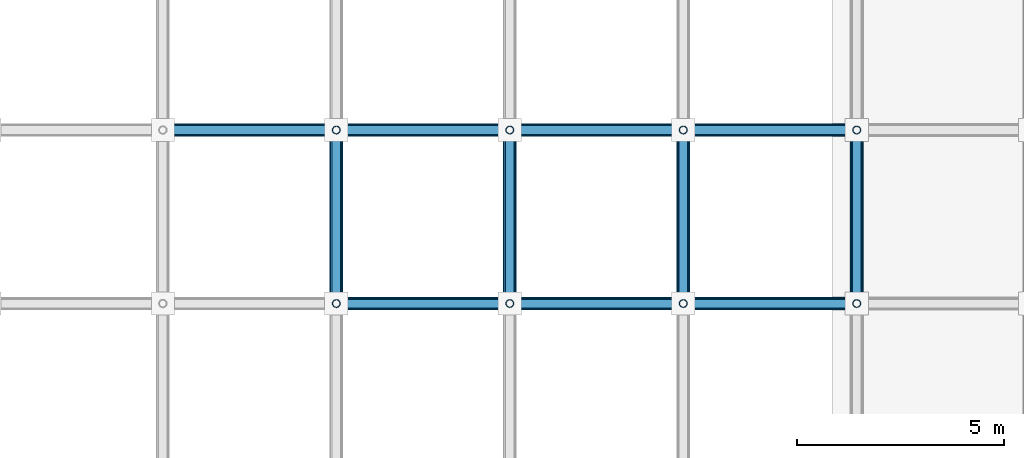
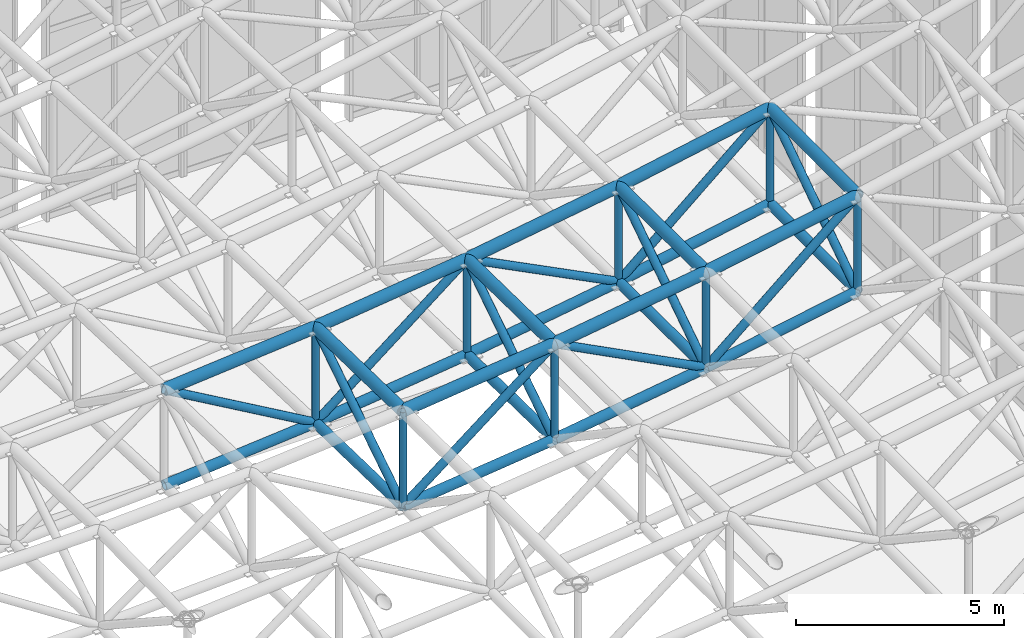
# One storey, part 33 of 93: 41 members.
"""IFC4 building model written with IfcOpenShell, lengths in metres."""

import ifcopenshell
import ifcopenshell.guid

model = None  # the IFC model being written
_history = None  # IfcOwnerHistory: only IFC2X3 demands one
_inside = {}  # id of a spatial element -> (the spatial element, [elements in it])
_under = {}  # id of a project, library or spatial element -> (it, [spatial elements below it])
_declared = {}  # id of a project -> (the project, [libraries it declares])
_typed = {}  # id of a type object -> (the type object, [elements of that type])
_made_of = {}  # id of a material, layer set ... -> (it, [elements and type objects made of it])


def new_model(schema):
    """Start an empty IFC model of exactly this schema.

    Asked for "IFC4X3", IfcOpenShell would pick the latest addendum, in which some entities
    have other attributes; the version numbers below select the first issue.
    IFC2X3 requires an IfcOwnerHistory on every rooted entity: one is made here for all.
    """
    global model, _history
    if schema == "IFC4X3":
        model = ifcopenshell.file(schema_version=(4, 3, 0, 0))
    else:
        model = ifcopenshell.file(schema=schema)
    _inside.clear()
    _under.clear()
    _declared.clear()
    _typed.clear()
    _made_of.clear()
    _history = None
    if model.schema == "IFC2X3":
        org = make("IfcOrganization", Name="unknown")
        user = make(
            "IfcPersonAndOrganization",
            ThePerson=make("IfcPerson", FamilyName="unknown"),
            TheOrganization=org,
        )
        app = make(
            "IfcApplication",
            ApplicationDeveloper=org,
            Version="unknown",
            ApplicationFullName="unknown",
            ApplicationIdentifier="unknown",
        )
        _history = make(
            "IfcOwnerHistory",
            OwningUser=user,
            OwningApplication=app,
            ChangeAction="ADDED",
            CreationDate=0,
        )
    return model


def make(cls, **values):
    """One entity of the class cls with the attributes given. An attribute that is None is left unset."""
    return model.create_entity(
        cls, **{name: value for name, value in values.items() if value is not None}
    )


def rooted(cls, **values):
    """An entity with a GlobalId (a new one), such as an element, a storey or a relation."""
    return make(cls, GlobalId=ifcopenshell.guid.new(), OwnerHistory=_history, **values)


def si_unit(unit_type, name, prefix=None):
    """IfcSIUnit, for example si_unit("LENGTHUNIT", "METRE", prefix="MILLI")."""
    return make("IfcSIUnit", UnitType=unit_type, Prefix=prefix, Name=name)


def assignment(units):
    """IfcUnitAssignment: the units of a project."""
    return None if units is None else make("IfcUnitAssignment", Units=units)


def point(xyz):
    """IfcCartesianPoint."""
    return None if xyz is None else make("IfcCartesianPoint", Coordinates=xyz)


def direction(xyz):
    """IfcDirection."""
    return None if xyz is None else make("IfcDirection", DirectionRatios=xyz)


def frame(location, z_axis=None, x_axis=None):
    """IfcAxis2Placement3D, a coordinate frame: its origin and axes. An axis left out is left unset."""
    return make(
        "IfcAxis2Placement3D",
        Location=point(location),
        Axis=direction(z_axis),
        RefDirection=direction(x_axis),
    )


def frame_2d(location, x_axis=None):
    """IfcAxis2Placement2D, a coordinate frame in the plane: its origin and x axis."""
    return make(
        "IfcAxis2Placement2D", Location=point(location), RefDirection=direction(x_axis)
    )


def origin():
    """The frame at (0, 0, 0) with its axes left unset."""
    return frame((0.0, 0.0, 0.0))


def origin_2d():
    """The frame at (0, 0) in the plane with its x axis left unset."""
    return frame_2d((0.0, 0.0))


def place(relative_to, where):
    """IfcLocalPlacement: puts the frame where relative to a parent placement (None: the world)."""
    return make(
        "IfcLocalPlacement", PlacementRelTo=relative_to, RelativePlacement=where
    )


def context(
    kind, dimensions, precision=None, world=None, true_north=None, identifier=None
):
    """IfcGeometricRepresentationContext, for example the 3D "Model" context."""
    return make(
        "IfcGeometricRepresentationContext",
        ContextIdentifier=identifier,
        ContextType=kind,
        CoordinateSpaceDimension=dimensions,
        Precision=precision,
        WorldCoordinateSystem=world,
        TrueNorth=true_north,
    )


def subcontext(parent, identifier, kind, view, scale=None):
    """IfcGeometricRepresentationSubContext, for example "Body" below "Model"."""
    return make(
        "IfcGeometricRepresentationSubContext",
        ContextIdentifier=identifier,
        ContextType=kind,
        ParentContext=parent,
        TargetScale=scale,
        TargetView=view,
    )


def project(units=None, contexts=None):
    """IfcProject with its units and contexts."""
    return rooted(
        "IfcProject",
        Name="project",
        RepresentationContexts=contexts,
        UnitsInContext=assignment(units),
    )


def spatial(cls, under=None, at=None, **own):
    """A site, building, storey or space (cls), placed at a placement, below another one or the project."""
    s = rooted(cls, ObjectPlacement=at, **own)
    if under is not None:
        _under.setdefault(under.id(), (under, []))[1].append(s)
    return s


def profile(cls, at=None, kind="AREA", **sizes):
    """A parametric profile (cls). Its sizes go by their IFC names, for example OverallWidth=200.0."""
    return make(cls, ProfileType=kind, Position=at, **sizes)


def hollow_circle(**sizes):
    """IfcCircleHollowProfileDef."""
    return profile("IfcCircleHollowProfileDef", **sizes)


def extrude(swept, where, along, depth):
    """IfcExtrudedAreaSolid: the profile swept, set in the frame where, extruded along a direction by depth."""
    return make(
        "IfcExtrudedAreaSolid",
        SweptArea=swept,
        Position=where,
        ExtrudedDirection=direction(along),
        Depth=depth,
    )


def shape(context_of_items, identifier, shape_type, items):
    """IfcShapeRepresentation: the items that make up one representation, for example the "Body"."""
    return make(
        "IfcShapeRepresentation",
        ContextOfItems=context_of_items,
        RepresentationIdentifier=identifier,
        RepresentationType=shape_type,
        Items=items,
    )


def material(Name=None, Category=None):
    """IfcMaterial."""
    return make("IfcMaterial", Name=Name, Category=Category)


def material_profile(
    of_material, cross_section, Name=None, Category=None, Priority=None
):
    """IfcMaterialProfile: a cross section and its material."""
    return make(
        "IfcMaterialProfile",
        Name=Name,
        Material=of_material,
        Profile=cross_section,
        Priority=Priority,
        Category=Category,
    )


def profile_set(profiles, Name=None, composite=None):
    """IfcMaterialProfileSet."""
    return make(
        "IfcMaterialProfileSet",
        Name=Name,
        MaterialProfiles=profiles,
        CompositeProfile=composite,
    )


def made_of(thing, what):
    """Note that an element or type object is made of a material, layer set ...; save() writes the relation."""
    if what is not None:
        _made_of.setdefault(what.id(), (what, []))[1].append(thing)
    return thing


def type_object(cls, material=None, **own):
    """A type object (cls), such as IfcWallType, which elements share."""
    return made_of(rooted(cls, **own), material)


def element(
    cls,
    number,
    at=None,
    inside=None,
    cuts=None,
    type_object=None,
    material=None,
    context=None,
    identifier="Body",
    shape_type=None,
    held_by="IfcProductDefinitionShape",
    body=None,
    shapes=None,
    **own,
):
    """One element of the class cls, such as IfcWall. Its Tag is "e" and its number.

    at: its placement. inside: the storey or other place that contains it. cuts: it is an
    opening in that element (IfcRelVoidsElement). A single representation is given by context,
    identifier, shape_type and body (its items); several are given by shapes. held_by: the class
    of the entity that holds the representations. save() writes the other relations.
    """
    e = rooted(cls, Tag="e%d" % number, ObjectPlacement=at, **own)
    if body is not None:
        shapes = [shape(context, identifier, shape_type, body)]
    if shapes is not None:
        e.Representation = make(held_by, Representations=shapes)
    if inside is not None:
        _inside.setdefault(inside.id(), (inside, []))[1].append(e)
    if cuts is not None:
        rooted(
            "IfcRelVoidsElement", RelatingBuildingElement=cuts, RelatedOpeningElement=e
        )
    if type_object is not None:
        _typed.setdefault(type_object.id(), (type_object, []))[1].append(e)
    return made_of(e, material)


def aggregate(whole, parts):
    """IfcRelAggregates: a whole, such as a stair, and the parts it consists of."""
    return rooted("IfcRelAggregates", RelatingObject=whole, RelatedObjects=parts)


def save(model, path):
    """Write the relations noted so far, then the file.

    IfcRelAggregates (storeys below a building ...), IfcRelContainedInSpatialStructure (elements
    in a storey), IfcRelDefinesByType, IfcRelAssociatesMaterial and IfcRelDeclares: one each for
    every whole, place, type object, material and project.
    """
    for whole, parts in _under.values():
        aggregate(whole, parts)
    for where, things in _inside.values():
        rooted(
            "IfcRelContainedInSpatialStructure",
            RelatedElements=things,
            RelatingStructure=where,
        )
    for kind, things in _typed.values():
        rooted("IfcRelDefinesByType", RelatedObjects=things, RelatingType=kind)
    for what, things in _made_of.values():
        rooted("IfcRelAssociatesMaterial", RelatedObjects=things, RelatingMaterial=what)
    for by, libraries in _declared.values():
        rooted("IfcRelDeclares", RelatingContext=by, RelatedDefinitions=libraries)
    model.write(path)


model = new_model("IFC4")

# Units and contexts
model_context = context("Model", 3, precision=1e-05, world=origin(), true_north=direction((0.0, 1.0)))
body_context = subcontext(model_context, "Body", "Model", "MODEL_VIEW")
ifc_project = project(units=[si_unit("LENGTHUNIT", "METRE"), si_unit("AREAUNIT", "SQUARE_METRE"), si_unit("VOLUMEUNIT", "CUBIC_METRE"), si_unit("PLANEANGLEUNIT", "RADIAN"), si_unit("MASSUNIT", "GRAM", prefix="KILO")], contexts=[model_context])

# Site, building, storey
site_placement = place(None, origin())
site = spatial("IfcSite", under=ifc_project, at=site_placement, CompositionType="ELEMENT")
building_placement = place(site_placement, origin())
building = spatial("IfcBuilding", under=site, at=building_placement, Name="Cumbredor Promenade Congress Hotel", CompositionType="ELEMENT")
storey_placement = place(building_placement, frame((0.0, 0.0, 21.840087890625)))
storey = spatial("IfcBuildingStorey", under=building, at=storey_placement, Name="L06", CompositionType="ELEMENT", Elevation=21.840087890625)

# Members
ifc_material = material(Name="Steel ASTM A500 Grade C", Category="steel")
ifc_material_profile_1 = material_profile(ifc_material, hollow_circle(Radius=0.136474609375, WallThickness=0.01611328125, at=origin_2d()), Name="CHS 273.0x16")
ifc_profile_set_1 = profile_set([ifc_material_profile_1], Name="Steel ASTM A500 Grade C")
member_type_1 = type_object("IfcMemberType", Name="Plenary Roof Space Frame Bottom Chord", PredefinedType="CHORD", material=ifc_profile_set_1)
member_1_placement = place(storey_placement, frame((46.199951171875, 42.0, 8.49560546875), z_axis=(0.99325660269, 0.0, 0.115936712097), x_axis=(0.0, 1.0, 0.0)))
element("IfcMember", 1, at=member_1_placement, inside=storey, type_object=member_type_1, Name="Plenary Congress Hall X Bottom Chord 13.11", PredefinedType="CHORD", context=body_context, shape_type="SweptSolid", body=[
    extrude(hollow_circle(Radius=0.136474609375, WallThickness=0.01611328125, at=origin_2d()), origin(), (0.0, 0.0, 1.0), 4.228515625),
])
member_2_placement = place(storey_placement, frame((50.39990234375, 42.0, 8.98583984375), z_axis=(0.988907664036, 0.0, 0.148531585903), x_axis=(0.0, 1.0, 0.0)))
element("IfcMember", 2, at=member_2_placement, inside=storey, type_object=member_type_1, Name="Plenary Congress Hall X Bottom Chord 14.11", PredefinedType="CHORD", context=body_context, shape_type="SweptSolid", body=[
    extrude(hollow_circle(Radius=0.136474609375, WallThickness=0.01611328125, at=origin_2d()), origin(), (0.0, 0.0, 1.0), 4.247314453125),
])
member_3_placement = place(storey_placement, frame((54.60009765625, 42.0, 9.61669921875), z_axis=(0.983564783684, 0.0, 0.180555576753), x_axis=(0.0, 1.0, 0.0)))
element("IfcMember", 3, at=member_3_placement, inside=storey, type_object=member_type_1, Name="Plenary Congress Hall X Bottom Chord 15.11", PredefinedType="CHORD", context=body_context, shape_type="SweptSolid", body=[
    extrude(hollow_circle(Radius=0.136474609375, WallThickness=0.01611328125, at=origin_2d()), origin(), (0.0, 0.0, 1.0), 4.27001953125),
])
member_4_placement = place(storey_placement, frame((42.0, 46.199951171875, 8.02880859375), z_axis=(0.996124331019, 0.0, 0.087956336617), x_axis=(0.0, 1.0, 0.0)))
element("IfcMember", 4, at=member_4_placement, inside=storey, type_object=member_type_1, Name="Plenary Congress Hall X Bottom Chord 12.12", PredefinedType="CHORD", context=body_context, shape_type="SweptSolid", body=[
    extrude(hollow_circle(Radius=0.136474609375, WallThickness=0.01611328125, at=origin_2d()), origin(), (0.0, 0.0, 1.0), 4.21630859375),
])
member_5_placement = place(storey_placement, frame((46.199951171875, 46.199951171875, 8.399658203125), z_axis=(0.992435931335, 0.0, 0.12276368435), x_axis=(0.0, 1.0, 0.0)))
element("IfcMember", 5, at=member_5_placement, inside=storey, type_object=member_type_1, Name="Plenary Congress Hall X Bottom Chord 13.12", PredefinedType="CHORD", context=body_context, shape_type="SweptSolid", body=[
    extrude(hollow_circle(Radius=0.136474609375, WallThickness=0.01611328125, at=origin_2d()), origin(), (0.0, 0.0, 1.0), 4.23193359375),
])
member_6_placement = place(storey_placement, frame((50.39990234375, 46.199951171875, 8.919189453125), z_axis=(0.987580306335, 0.0, 0.157115048735), x_axis=(0.0, 1.0, 0.0)))
element("IfcMember", 6, at=member_6_placement, inside=storey, type_object=member_type_1, Name="Plenary Congress Hall X Bottom Chord 14.12", PredefinedType="CHORD", context=body_context, shape_type="SweptSolid", body=[
    extrude(hollow_circle(Radius=0.136474609375, WallThickness=0.01611328125, at=origin_2d()), origin(), (0.0, 0.0, 1.0), 4.2529296875),
])
member_7_placement = place(storey_placement, frame((54.60009765625, 46.199951171875, 9.58740234375), z_axis=(0.981626376064, 0.0, 0.19081314896), x_axis=(0.0, 1.0, 0.0)))
element("IfcMember", 7, at=member_7_placement, inside=storey, type_object=member_type_1, Name="Plenary Congress Hall X Bottom Chord 15.12", PredefinedType="CHORD", context=body_context, shape_type="SweptSolid", body=[
    extrude(hollow_circle(Radius=0.136474609375, WallThickness=0.01611328125, at=origin_2d()), origin(), (0.0, 0.0, 1.0), 4.278564453125),
])
member_8_placement = place(storey_placement, frame((46.199951171875, 42.0, 8.49560546875), z_axis=(0.0, 0.999739158447, -0.022838893755), x_axis=(-1.0, 0.0, 0.0)))
element("IfcMember", 8, at=member_8_placement, inside=storey, type_object=member_type_1, Name="Plenary Congress Hall Y Bottom Chord 13.11", PredefinedType="CHORD", context=body_context, shape_type="SweptSolid", body=[
    extrude(hollow_circle(Radius=0.136474609375, WallThickness=0.01611328125, at=origin_2d()), origin(), (0.0, 0.0, 1.0), 4.200927734375),
])
member_9_placement = place(storey_placement, frame((50.39990234375, 42.0, 8.98583984375), z_axis=(0.0, 0.999874106038, -0.015867327265), x_axis=(-1.0, 0.0, 0.0)))
element("IfcMember", 9, at=member_9_placement, inside=storey, type_object=member_type_1, Name="Plenary Congress Hall Y Bottom Chord 14.11", PredefinedType="CHORD", context=body_context, shape_type="SweptSolid", body=[
    extrude(hollow_circle(Radius=0.136474609375, WallThickness=0.01611328125, at=origin_2d()), origin(), (0.0, 0.0, 1.0), 4.200439453125),
])
for number, where, z_axis, x_axis, name in (
    (10, (54.60009765625, 42.0, 9.61669921875), (0.0, 0.999975671896, -0.006975357823), (-1.0, 0.0, 0.0), "Plenary Congress Hall Y Bottom Chord 15.11"),
    (11, (58.800048828125, 42.0, 10.3876953125), (0.0, 0.999992640561, 0.003836511904), (-1.0, 0.0, 0.0), "Plenary Congress Hall Y Bottom Chord 16.11"),
):
    element("IfcMember", number, at=place(storey_placement, frame(where, z_axis=z_axis, x_axis=x_axis)), inside=storey, type_object=member_type_1, Name=name, PredefinedType="CHORD", context=body_context, shape_type="SweptSolid", body=[
        extrude(hollow_circle(Radius=0.136474609375, WallThickness=0.01611328125, at=origin_2d()), origin(), (0.0, 0.0, 1.0), 4.199951171875),
    ])
ifc_material_profile_2 = material_profile(ifc_material, hollow_circle(Radius=0.161865234375, WallThickness=0.01611328125, at=origin_2d()), Name="CHS 323.9x16")
ifc_profile_set_2 = profile_set([ifc_material_profile_2], Name="Steel ASTM A500 Grade C")
member_type_2 = type_object("IfcMemberType", Name="Plenary Roof Space Frame Top Chord", PredefinedType="CHORD", material=ifc_profile_set_2)
member_10_placement = place(storey_placement, frame((46.199951171875, 42.0, 11.29541015625), z_axis=(0.993249952356, 0.0, 0.115993672864), x_axis=(0.0, 1.0, 0.0)))
element("IfcMember", 12, at=member_10_placement, inside=storey, type_object=member_type_2, Name="Plenary Congress Hall X Top Chord 13.11", PredefinedType="CHORD", context=body_context, shape_type="SweptSolid", body=[
    extrude(hollow_circle(Radius=0.161865234375, WallThickness=0.01611328125, at=origin_2d()), origin(), (0.0, 0.0, 1.0), 4.228515625),
])
member_11_placement = place(storey_placement, frame((50.39990234375, 42.0, 11.785888671875), z_axis=(0.98891610559, 0.0, 0.148475372049), x_axis=(0.0, 1.0, 0.0)))
element("IfcMember", 13, at=member_11_placement, inside=storey, type_object=member_type_2, Name="Plenary Congress Hall X Top Chord 14.11", PredefinedType="CHORD", context=body_context, shape_type="SweptSolid", body=[
    extrude(hollow_circle(Radius=0.161865234375, WallThickness=0.01611328125, at=origin_2d()), origin(), (0.0, 0.0, 1.0), 4.247314453125),
])
member_12_placement = place(storey_placement, frame((54.60009765625, 42.0, 12.41650390625), z_axis=(0.983564783684, 0.0, 0.180555576753), x_axis=(0.0, 1.0, 0.0)))
element("IfcMember", 14, at=member_12_placement, inside=storey, type_object=member_type_2, Name="Plenary Congress Hall X Top Chord 15.11", PredefinedType="CHORD", context=body_context, shape_type="SweptSolid", body=[
    extrude(hollow_circle(Radius=0.161865234375, WallThickness=0.01611328125, at=origin_2d()), origin(), (0.0, 0.0, 1.0), 4.27001953125),
])
member_13_placement = place(storey_placement, frame((42.0, 46.199951171875, 10.82861328125), z_axis=(0.996119256094, 0.0, 0.088013792319), x_axis=(0.0, 1.0, 0.0)))
element("IfcMember", 15, at=member_13_placement, inside=storey, type_object=member_type_2, Name="Plenary Congress Hall X Top Chord 12.12", PredefinedType="CHORD", context=body_context, shape_type="SweptSolid", body=[
    extrude(hollow_circle(Radius=0.161865234375, WallThickness=0.01611328125, at=origin_2d()), origin(), (0.0, 0.0, 1.0), 4.21630859375),
])
member_14_placement = place(storey_placement, frame((46.199951171875, 46.199951171875, 11.19970703125), z_axis=(0.992442958388, 0.0, 0.122706863483), x_axis=(0.0, 1.0, 0.0)))
element("IfcMember", 16, at=member_14_placement, inside=storey, type_object=member_type_2, Name="Plenary Congress Hall X Top Chord 13.12", PredefinedType="CHORD", context=body_context, shape_type="SweptSolid", body=[
    extrude(hollow_circle(Radius=0.161865234375, WallThickness=0.01611328125, at=origin_2d()), origin(), (0.0, 0.0, 1.0), 4.23193359375),
])
member_15_placement = place(storey_placement, frame((50.39990234375, 46.199951171875, 11.718994140625), z_axis=(0.987580306335, 0.0, 0.157115048735), x_axis=(0.0, 1.0, 0.0)))
element("IfcMember", 17, at=member_15_placement, inside=storey, type_object=member_type_2, Name="Plenary Congress Hall X Top Chord 14.12", PredefinedType="CHORD", context=body_context, shape_type="SweptSolid", body=[
    extrude(hollow_circle(Radius=0.161865234375, WallThickness=0.01611328125, at=origin_2d()), origin(), (0.0, 0.0, 1.0), 4.2529296875),
])
member_16_placement = place(storey_placement, frame((54.60009765625, 46.199951171875, 12.38720703125), z_axis=(0.981626376064, 0.0, 0.19081314896), x_axis=(0.0, 1.0, 0.0)))
element("IfcMember", 18, at=member_16_placement, inside=storey, type_object=member_type_2, Name="Plenary Congress Hall X Top Chord 15.12", PredefinedType="CHORD", context=body_context, shape_type="SweptSolid", body=[
    extrude(hollow_circle(Radius=0.161865234375, WallThickness=0.01611328125, at=origin_2d()), origin(), (0.0, 0.0, 1.0), 4.278564453125),
])
member_17_placement = place(storey_placement, frame((46.199951171875, 42.0, 11.29541015625), z_axis=(0.0, 0.99974048368, -0.022780809719), x_axis=(-1.0, 0.0, 0.0)))
element("IfcMember", 19, at=member_17_placement, inside=storey, type_object=member_type_2, Name="Plenary Congress Hall Y Top Chord 13.11", PredefinedType="CHORD", context=body_context, shape_type="SweptSolid", body=[
    extrude(hollow_circle(Radius=0.161865234375, WallThickness=0.01611328125, at=origin_2d()), origin(), (0.0, 0.0, 1.0), 4.200927734375),
])
member_18_placement = place(storey_placement, frame((50.39990234375, 42.0, 11.785888671875), z_axis=(0.0, 0.999873182225, -0.015925434629), x_axis=(-1.0, 0.0, 0.0)))
element("IfcMember", 20, at=member_18_placement, inside=storey, type_object=member_type_2, Name="Plenary Congress Hall Y Top Chord 14.11", PredefinedType="CHORD", context=body_context, shape_type="SweptSolid", body=[
    extrude(hollow_circle(Radius=0.161865234375, WallThickness=0.01611328125, at=origin_2d()), origin(), (0.0, 0.0, 1.0), 4.200439453125),
])
for number, where, z_axis, x_axis, name in (
    (21, (54.60009765625, 42.0, 12.41650390625), (0.0, 0.999975671896, -0.006975357823), (-1.0, 0.0, 0.0), "Plenary Congress Hall Y Top Chord 15.11"),
    (22, (58.800048828125, 42.0, 13.1875), (0.0, 0.999992640561, 0.003836511904), (-1.0, 0.0, 0.0), "Plenary Congress Hall Y Top Chord 16.11"),
):
    element("IfcMember", number, at=place(storey_placement, frame(where, z_axis=z_axis, x_axis=x_axis)), inside=storey, type_object=member_type_2, Name=name, PredefinedType="CHORD", context=body_context, shape_type="SweptSolid", body=[
        extrude(hollow_circle(Radius=0.161865234375, WallThickness=0.01611328125, at=origin_2d()), origin(), (0.0, 0.0, 1.0), 4.199951171875),
    ])
ifc_material_profile_3 = material_profile(ifc_material, hollow_circle(Radius=0.109619140625, WallThickness=0.012451171875, at=origin_2d()), Name="CHS 219.1x12.5")
ifc_profile_set_3 = profile_set([ifc_material_profile_3], Name="Steel ASTM A500 Grade C")
member_type_3 = type_object("IfcMemberType", Name="Space Frame Web Diagonal D1", PredefinedType="BRACE", material=ifc_profile_set_3)
member_19_placement = place(storey_placement, frame((46.199951171875, 42.0, 8.49560546875), z_axis=(0.787198804129, 0.0, 0.616699313099), x_axis=(0.0, 1.0, 0.0)))
element("IfcMember", 23, at=member_19_placement, inside=storey, type_object=member_type_3, Name="Plenary Congress Hall X Web Diagonal 13.11", PredefinedType="BRACE", context=body_context, shape_type="SweptSolid", body=[
    extrude(hollow_circle(Radius=0.109619140625, WallThickness=0.012451171875, at=origin_2d()), origin(), (0.0, 0.0, 1.0), 5.335205078125),
])
member_20_placement = place(storey_placement, frame((50.39990234375, 42.0, 11.785888671875), z_axis=(0.888504522297, 0.0, -0.458867860998), x_axis=(0.0, 1.0, 0.0)))
element("IfcMember", 24, at=member_20_placement, inside=storey, type_object=member_type_3, Name="Plenary Congress Hall X Web Diagonal 14.11", PredefinedType="BRACE", context=body_context, shape_type="SweptSolid", body=[
    extrude(hollow_circle(Radius=0.109619140625, WallThickness=0.012451171875, at=origin_2d()), origin(), (0.0, 0.0, 1.0), 4.727294921875),
])
member_21_placement = place(storey_placement, frame((54.60009765625, 42.0, 9.61669921875), z_axis=(0.761863915954, 0.0, 0.647737117639), x_axis=(0.0, 1.0, 0.0)))
element("IfcMember", 25, at=member_21_placement, inside=storey, type_object=member_type_3, Name="Plenary Congress Hall X Web Diagonal 15.11", PredefinedType="BRACE", context=body_context, shape_type="SweptSolid", body=[
    extrude(hollow_circle(Radius=0.109619140625, WallThickness=0.012451171875, at=origin_2d()), origin(), (0.0, 0.0, 1.0), 5.5126953125),
])
member_22_placement = place(storey_placement, frame((42.0, 46.199951171875, 10.82861328125), z_axis=(0.865658166697, 0.0, -0.500635534527), x_axis=(0.0, 1.0, 0.0)))
element("IfcMember", 26, at=member_22_placement, inside=storey, type_object=member_type_3, Name="Plenary Congress Hall X Web Diagonal 12.12", PredefinedType="BRACE", context=body_context, shape_type="SweptSolid", body=[
    extrude(hollow_circle(Radius=0.109619140625, WallThickness=0.012451171875, at=origin_2d()), origin(), (0.0, 0.0, 1.0), 4.851806640625),
])
member_23_placement = place(storey_placement, frame((46.199951171875, 46.199951171875, 8.399658203125), z_axis=(0.784556956827, 0.0, 0.620056756672), x_axis=(0.0, 1.0, 0.0)))
element("IfcMember", 27, at=member_23_placement, inside=storey, type_object=member_type_3, Name="Plenary Congress Hall X Web Diagonal 13.12", PredefinedType="BRACE", context=body_context, shape_type="SweptSolid", body=[
    extrude(hollow_circle(Radius=0.109619140625, WallThickness=0.012451171875, at=origin_2d()), origin(), (0.0, 0.0, 1.0), 5.353271484375),
])
member_24_placement = place(storey_placement, frame((50.39990234375, 46.199951171875, 11.718994140625), z_axis=(0.891736607498, 0.0, -0.452554773312), x_axis=(0.0, 1.0, 0.0)))
element("IfcMember", 28, at=member_24_placement, inside=storey, type_object=member_type_3, Name="Plenary Congress Hall X Web Diagonal 14.12", PredefinedType="BRACE", context=body_context, shape_type="SweptSolid", body=[
    extrude(hollow_circle(Radius=0.109619140625, WallThickness=0.012451171875, at=origin_2d()), origin(), (0.0, 0.0, 1.0), 4.710205078125),
])
member_25_placement = place(storey_placement, frame((54.60009765625, 46.199951171875, 9.58740234375), z_axis=(0.757805708558, 0.0, 0.65248027409), x_axis=(0.0, 1.0, 0.0)))
element("IfcMember", 29, at=member_25_placement, inside=storey, type_object=member_type_3, Name="Plenary Congress Hall X Web Diagonal 15.12", PredefinedType="BRACE", context=body_context, shape_type="SweptSolid", body=[
    extrude(hollow_circle(Radius=0.109619140625, WallThickness=0.012451171875, at=origin_2d()), origin(), (0.0, 0.0, 1.0), 5.542236328125),
])
member_26_placement = place(storey_placement, frame((46.199951171875, 42.0, 8.49560546875), z_axis=(0.0, 0.840801914135, 0.541342905363), x_axis=(-1.0, 0.0, 0.0)))
element("IfcMember", 30, at=member_26_placement, inside=storey, type_object=member_type_3, Name="Plenary Congress Hall Y Web Diagonal 13.11", PredefinedType="BRACE", context=body_context, shape_type="SweptSolid", body=[
    extrude(hollow_circle(Radius=0.109619140625, WallThickness=0.012451171875, at=origin_2d()), origin(), (0.0, 0.0, 1.0), 4.9951171875),
])
member_27_placement = place(storey_placement, frame((50.39990234375, 42.0, 8.98583984375), z_axis=(0.0, 0.838152967359, 0.545435242085), x_axis=(-1.0, 0.0, 0.0)))
element("IfcMember", 31, at=member_27_placement, inside=storey, type_object=member_type_3, Name="Plenary Congress Hall Y Web Diagonal 14.11", PredefinedType="BRACE", context=body_context, shape_type="SweptSolid", body=[
    extrude(hollow_circle(Radius=0.109619140625, WallThickness=0.012451171875, at=origin_2d()), origin(), (0.0, 0.0, 1.0), 5.010986328125),
])
member_28_placement = place(storey_placement, frame((54.60009765625, 42.0, 9.61669921875), z_axis=(0.0, 0.834742783415, 0.550640068953), x_axis=(-1.0, 0.0, 0.0)))
element("IfcMember", 32, at=member_28_placement, inside=storey, type_object=member_type_3, Name="Plenary Congress Hall Y Web Diagonal 15.11", PredefinedType="BRACE", context=body_context, shape_type="SweptSolid", body=[
    extrude(hollow_circle(Radius=0.109619140625, WallThickness=0.012451171875, at=origin_2d()), origin(), (0.0, 0.0, 1.0), 5.031494140625),
])
member_29_placement = place(storey_placement, frame((58.800048828125, 42.0, 10.3876953125), z_axis=(0.0, 0.830591546956, 0.556882107923), x_axis=(-1.0, 0.0, 0.0)))
element("IfcMember", 33, at=member_29_placement, inside=storey, type_object=member_type_3, Name="Plenary Congress Hall Y Web Diagonal 16.11", PredefinedType="BRACE", context=body_context, shape_type="SweptSolid", body=[
    extrude(hollow_circle(Radius=0.109619140625, WallThickness=0.012451171875, at=origin_2d()), origin(), (0.0, 0.0, 1.0), 5.056640625),
])
ifc_material_profile_4 = material_profile(ifc_material, hollow_circle(Radius=0.096923828125, WallThickness=0.010009765625, at=origin_2d()), Name="CHS 193.7x10")
ifc_profile_set_4 = profile_set([ifc_material_profile_4], Name="Steel ASTM A500 Grade C")
member_type_4 = type_object("IfcMemberType", Name="Space Frame Web Post P1", PredefinedType="BRACE", material=ifc_profile_set_4)
member_30_placement = place(storey_placement, frame((46.199951171875, 42.0, 8.49560546875), z_axis=(0.0, 0.0, 1.0), x_axis=(1.0, 0.0, 0.0)))
element("IfcMember", 34, at=member_30_placement, inside=storey, type_object=member_type_4, Name="Plenary Congress Hall Space Frame Web Post 13.11", PredefinedType="BRACE", context=body_context, shape_type="SweptSolid", body=[
    extrude(hollow_circle(Radius=0.096923828125, WallThickness=0.010009765625, at=origin_2d()), origin(), (0.0, 0.0, 1.0), 2.7998046875),
])
for number, where, z_axis, x_axis, name in (
    (35, (46.199951171875, 46.199951171875, 8.399658203125), (0.0, 0.0, 1.0), (1.0, 0.0, 0.0), "Plenary Congress Hall Space Frame Web Post 13.12"),
    (36, (50.39990234375, 42.0, 8.98583984375), (0.0, 0.0, 1.0), (1.0, 0.0, 0.0), "Plenary Congress Hall Space Frame Web Post 14.11"),
):
    element("IfcMember", number, at=place(storey_placement, frame(where, z_axis=z_axis, x_axis=x_axis)), inside=storey, type_object=member_type_4, Name=name, PredefinedType="BRACE", context=body_context, shape_type="SweptSolid", body=[
        extrude(hollow_circle(Radius=0.096923828125, WallThickness=0.010009765625, at=origin_2d()), origin(), (0.0, 0.0, 1.0), 2.800048828125),
    ])
for number, where, z_axis, x_axis, name in (
    (37, (50.39990234375, 46.199951171875, 8.919189453125), (0.0, 0.0, 1.0), (1.0, 0.0, 0.0), "Plenary Congress Hall Space Frame Web Post 14.12"),
    (38, (54.60009765625, 42.0, 9.61669921875), (0.0, 0.0, 1.0), (1.0, 0.0, 0.0), "Plenary Congress Hall Space Frame Web Post 15.11"),
    (39, (54.60009765625, 46.199951171875, 9.58740234375), (0.0, 0.0, 1.0), (1.0, 0.0, 0.0), "Plenary Congress Hall Space Frame Web Post 15.12"),
    (40, (58.800048828125, 42.0, 10.3876953125), (0.0, 0.0, 1.0), (1.0, 0.0, 0.0), "Plenary Congress Hall Space Frame Web Post 16.11"),
    (41, (58.800048828125, 46.199951171875, 10.40380859375), (0.0, 0.0, 1.0), (1.0, 0.0, 0.0), "Plenary Congress Hall Space Frame Web Post 16.12"),
):
    element("IfcMember", number, at=place(storey_placement, frame(where, z_axis=z_axis, x_axis=x_axis)), inside=storey, type_object=member_type_4, Name=name, PredefinedType="BRACE", context=body_context, shape_type="SweptSolid", body=[
        extrude(hollow_circle(Radius=0.096923828125, WallThickness=0.010009765625, at=origin_2d()), origin(), (0.0, 0.0, 1.0), 2.7998046875),
    ])

save(model, "model.ifc")
